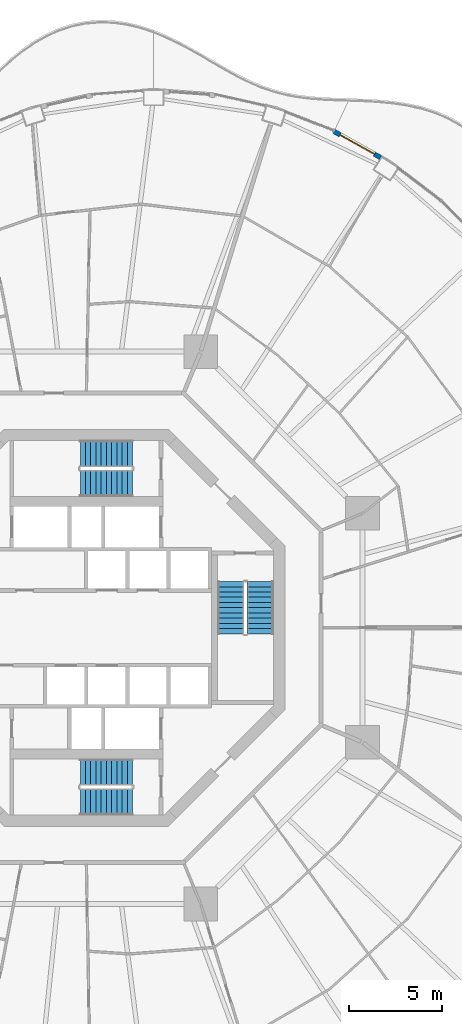
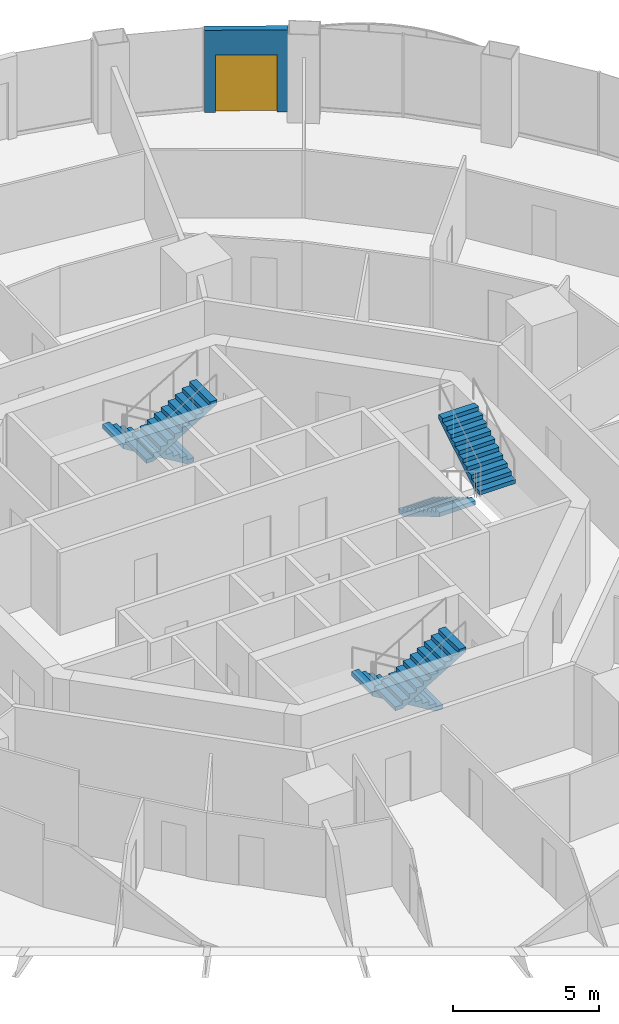
# One storey, part 16 of 19: 6 stair flights, 1 door, 1 wall, 1 opening, 3 elements without a shape of their own.
"""IFC4 building model written with IfcOpenShell, lengths in metres."""

from ifc_helpers import new_model, si_unit, direction, frame, frame_2d, origin, place, context, subcontext, project, spatial, polyline, rectangle, outline, extrude, material, layer, layer_set, type_object, element, fill, aggregate, save


model = new_model("IFC4")

# Units and contexts
model_context = context("Model", 3, precision=1e-05, world=origin(), true_north=direction((0.0, 1.0)))
body_context = subcontext(model_context, "Body", "Model", "MODEL_VIEW")
ifc_project = project(units=[si_unit("LENGTHUNIT", "METRE"), si_unit("AREAUNIT", "SQUARE_METRE"), si_unit("VOLUMEUNIT", "CUBIC_METRE"), si_unit("PLANEANGLEUNIT", "RADIAN"), si_unit("MASSUNIT", "GRAM", prefix="KILO")], contexts=[model_context])

# Site, building, storey
site_placement = place(None, origin())
site = spatial("IfcSite", under=ifc_project, at=site_placement, CompositionType="ELEMENT")
building_placement = place(site_placement, origin())
building = spatial("IfcBuilding", under=site, at=building_placement, Name="Nagisa Residences", CompositionType="ELEMENT")
storey_placement = place(building_placement, frame((0.0, 0.0, 169.60009765625)))
storey = spatial("IfcBuildingStorey", under=building, at=storey_placement, Name="L42", CompositionType="ELEMENT", Elevation=169.60009765625)

# Wall, opening, door
ifc_material_1 = material(Name="Precast concrete C40/50", Category="concrete")
ifc_layer = layer(ifc_material_1, 0.25)
ifc_layer_set = layer_set([ifc_layer], Name="BALCONY DOOR WALL 250")
wall_type = type_object("IfcWallType", Name="BALCONY DOOR WALL 250", PredefinedType="SOLIDWALL", material=ifc_layer_set)
wall_placement = place(storey_placement, frame((13.24951171875, 26.568115234375, 0.0), z_axis=(0.0, 0.0, 1.0), x_axis=(0.872057843239, -0.489402817774, 0.0)))
wall = element("IfcWall", 1, at=wall_placement, inside=storey, type_object=wall_type, Name="wall:L42:bay08", PredefinedType="SOLIDWALL", context=body_context, shape_type="SweptSolid", body=[
    extrude(rectangle(XDim=2.863525390625, YDim=0.25, at=frame_2d((1.431640625, 0.0))), origin(), (0.0, 0.0, 1.0), 3.43994140625),
])
opening_placement = place(wall_placement, frame((0.3818359375, 0.0, 0.0)))
opening = element("IfcOpeningElement", 2, at=opening_placement, cuts=wall, Name="Opening BD-L42-03", PredefinedType="OPENING", context=body_context, shape_type="SweptSolid", body=[
    extrude(rectangle(XDim=2.10009765625, YDim=2.39990234375, at=frame_2d((1.050048828125, 1.199951171875))), frame((0.0, 0.135009765625, 0.0), z_axis=(0.0, -1.0, 0.0), x_axis=(1.0, 0.0, 0.0)), (0.0, 0.0, 1.0), 0.27001953125),
])
ifc_material_2 = material(Name="Aluminium and clear glass", Category="aluminium")
door_type = type_object("IfcDoorType", Name="BALCONY SLIDING DOOR 2100x2400", OperationType="SLIDING_TO_LEFT", PredefinedType="DOOR", material=ifc_material_2)
door_placement = place(opening_placement, origin())
door = element("IfcDoor", 3, at=door_placement, inside=storey, type_object=door_type, Name="door:L42:bay08", OperationType="SLIDING_TO_LEFT", OverallHeight=2.39990234375, OverallWidth=2.10009765625, PredefinedType="DOOR", context=body_context, shape_type="SweptSolid", body=[
    extrude(rectangle(XDim=2.10009765625, YDim=2.39990234375, at=frame_2d((1.050048828125, 1.199951171875))), frame((0.0, 0.02490234375, 0.0), z_axis=(0.0, -1.0, 0.0), x_axis=(1.0, 0.0, 0.0)), (0.0, 0.0, 1.0), 0.050048828125),
])
fill(opening, door)

# Stair, stair flights
ifc_material_3 = material(Name="Concrete C60", Category="concrete")
stair_type = type_object("IfcStairType", Name="Exit stair", PredefinedType="HALF_TURN_STAIR", material=ifc_material_3)
stair_1_placement = place(storey_placement, origin())
stair_1 = element("IfcStair", 4, at=stair_1_placement, inside=storey, type_object=stair_type, Name="L42 Exit stair E", PredefinedType="HALF_TURN_STAIR")
ifc_material_4 = material(Name="Concrete C60", Category="concrete")
stair_flight_type = type_object("IfcStairFlightType", Name="Exit stair flight", PredefinedType="STRAIGHT", material=ifc_material_4)
stair_flight_1_placement = place(storey_placement, frame((7.737060546875, 2.47509765625, 0.0), z_axis=(0.0, 0.0, 1.0), x_axis=(0.0, -1.0, 0.0)))
stair_flight_1 = element("IfcStairFlight", 5, at=stair_flight_1_placement, type_object=stair_flight_type, Name="ST-E flight 1", NumberOfRisers=11, NumberOfTreads=10, PredefinedType="STRAIGHT", RiserHeight=0.168181818, TreadLength=0.28, context=body_context, shape_type="SweptSolid", body=[
    extrude(outline(polyline([(0.0, 0.0), (0.0, 0.168212890625), (0.280029296875, 0.168212890625), (0.280029296875, 0.33642578125), (0.56005859375, 0.33642578125), (0.56005859375, 0.504638671875), (0.840087890625, 0.504638671875), (0.840087890625, 0.672607421875), (1.1201171875, 0.672607421875), (1.1201171875, 0.8408203125), (1.39990234375, 0.8408203125), (1.39990234375, 1.009033203125), (1.679931640625, 1.009033203125), (1.679931640625, 1.17724609375), (1.9599609375, 1.17724609375), (1.9599609375, 1.345458984375), (2.239990234375, 1.345458984375), (2.239990234375, 1.513671875), (2.52001953125, 1.513671875), (2.52001953125, 1.681884765625), (2.800048828125, 1.681884765625), (2.800048828125, 1.85009765625), (2.800048828125, 1.5068359375), (0.291015625, 0.0), (0.0, 0.0)])), frame((0.0, 0.71240234375, 0.0), z_axis=(0.0, -1.0, 0.0), x_axis=(1.0, 0.0, 0.0)), (0.0, 0.0, 1.0), 1.425048828125),
])
stair_flight_2_placement = place(storey_placement, frame((9.31201171875, -0.324951171875, 1.849853515625), z_axis=(0.0, 0.0, 1.0), x_axis=(0.0, 1.0, 0.0)))
stair_flight_2 = element("IfcStairFlight", 6, at=stair_flight_2_placement, type_object=stair_flight_type, Name="ST-E flight 2", NumberOfRisers=11, NumberOfTreads=10, PredefinedType="STRAIGHT", RiserHeight=0.168181818, TreadLength=0.28, context=body_context, shape_type="SweptSolid", body=[
    extrude(outline(polyline([(0.0, 0.0), (0.0, 0.168212890625), (0.280029296875, 0.168212890625), (0.280029296875, 0.33642578125), (0.56005859375, 0.33642578125), (0.56005859375, 0.504638671875), (0.840087890625, 0.504638671875), (0.840087890625, 0.672607421875), (1.1201171875, 0.672607421875), (1.1201171875, 0.8408203125), (1.39990234375, 0.8408203125), (1.39990234375, 1.009033203125), (1.679931640625, 1.009033203125), (1.679931640625, 1.17724609375), (1.9599609375, 1.17724609375), (1.9599609375, 1.345458984375), (2.239990234375, 1.345458984375), (2.239990234375, 1.513671875), (2.52001953125, 1.513671875), (2.52001953125, 1.681884765625), (2.800048828125, 1.681884765625), (2.800048828125, 1.85009765625), (2.800048828125, 1.5068359375), (0.291015625, 0.0), (0.0, 0.0)])), frame((0.0, 0.71240234375, 0.0), z_axis=(0.0, -1.0, 0.0), x_axis=(1.0, 0.0, 0.0)), (0.0, 0.0, 1.0), 1.425048828125),
])
aggregate(stair_1, [stair_flight_1, stair_flight_2])

stair_2_placement = place(storey_placement, origin())
stair_2 = element("IfcStair", 7, at=stair_2_placement, inside=storey, type_object=stair_type, Name="L42 Exit stair N", PredefinedType="HALF_TURN_STAIR")
stair_flight_3_placement = place(storey_placement, frame((2.47509765625, 9.31201171875, 0.0), z_axis=(0.0, 0.0, 1.0), x_axis=(-1.0, 0.0, 0.0)))
stair_flight_3 = element("IfcStairFlight", 8, at=stair_flight_3_placement, type_object=stair_flight_type, Name="ST-N flight 1", NumberOfRisers=11, NumberOfTreads=10, PredefinedType="STRAIGHT", RiserHeight=0.168181818, TreadLength=0.28, context=body_context, shape_type="SweptSolid", body=[
    extrude(outline(polyline([(0.0, 0.0), (0.0, 0.168212890625), (0.280029296875, 0.168212890625), (0.280029296875, 0.33642578125), (0.56005859375, 0.33642578125), (0.56005859375, 0.504638671875), (0.840087890625, 0.504638671875), (0.840087890625, 0.672607421875), (1.1201171875, 0.672607421875), (1.1201171875, 0.8408203125), (1.39990234375, 0.8408203125), (1.39990234375, 1.009033203125), (1.679931640625, 1.009033203125), (1.679931640625, 1.17724609375), (1.9599609375, 1.17724609375), (1.9599609375, 1.345458984375), (2.239990234375, 1.345458984375), (2.239990234375, 1.513671875), (2.52001953125, 1.513671875), (2.52001953125, 1.681884765625), (2.800048828125, 1.681884765625), (2.800048828125, 1.85009765625), (2.800048828125, 1.5068359375), (0.291015625, 0.0), (0.0, 0.0)])), frame((0.0, 0.71240234375, 0.0), z_axis=(0.0, -1.0, 0.0), x_axis=(1.0, 0.0, 0.0)), (0.0, 0.0, 1.0), 1.425048828125),
])
stair_flight_4_placement = place(storey_placement, frame((-0.324951171875, 7.737060546875, 1.849853515625), z_axis=(0.0, 0.0, 1.0), x_axis=(1.0, 0.0, 0.0)))
stair_flight_4 = element("IfcStairFlight", 9, at=stair_flight_4_placement, type_object=stair_flight_type, Name="ST-N flight 2", NumberOfRisers=11, NumberOfTreads=10, PredefinedType="STRAIGHT", RiserHeight=0.168181818, TreadLength=0.28, context=body_context, shape_type="SweptSolid", body=[
    extrude(outline(polyline([(0.0, 0.0), (0.0, 0.168212890625), (0.280029296875, 0.168212890625), (0.280029296875, 0.33642578125), (0.56005859375, 0.33642578125), (0.56005859375, 0.504638671875), (0.840087890625, 0.504638671875), (0.840087890625, 0.672607421875), (1.1201171875, 0.672607421875), (1.1201171875, 0.8408203125), (1.39990234375, 0.8408203125), (1.39990234375, 1.009033203125), (1.679931640625, 1.009033203125), (1.679931640625, 1.17724609375), (1.9599609375, 1.17724609375), (1.9599609375, 1.345458984375), (2.239990234375, 1.345458984375), (2.239990234375, 1.513671875), (2.52001953125, 1.513671875), (2.52001953125, 1.681884765625), (2.800048828125, 1.681884765625), (2.800048828125, 1.85009765625), (2.800048828125, 1.5068359375), (0.291015625, 0.0), (0.0, 0.0)])), frame((0.0, 0.71240234375, 0.0), z_axis=(0.0, -1.0, 0.0), x_axis=(1.0, 0.0, 0.0)), (0.0, 0.0, 1.0), 1.425048828125),
])
aggregate(stair_2, [stair_flight_3, stair_flight_4])

stair_3_placement = place(storey_placement, origin())
stair_3 = element("IfcStair", 10, at=stair_3_placement, inside=storey, type_object=stair_type, Name="L42 Exit stair S", PredefinedType="HALF_TURN_STAIR")
stair_flight_5_placement = place(storey_placement, frame((2.47509765625, -7.737060546875, 0.0), z_axis=(0.0, 0.0, 1.0), x_axis=(-1.0, 0.0, 0.0)))
stair_flight_5 = element("IfcStairFlight", 11, at=stair_flight_5_placement, type_object=stair_flight_type, Name="ST-S flight 1", NumberOfRisers=11, NumberOfTreads=10, PredefinedType="STRAIGHT", RiserHeight=0.168181818, TreadLength=0.28, context=body_context, shape_type="SweptSolid", body=[
    extrude(outline(polyline([(0.0, 0.0), (0.0, 0.168212890625), (0.280029296875, 0.168212890625), (0.280029296875, 0.33642578125), (0.56005859375, 0.33642578125), (0.56005859375, 0.504638671875), (0.840087890625, 0.504638671875), (0.840087890625, 0.672607421875), (1.1201171875, 0.672607421875), (1.1201171875, 0.8408203125), (1.39990234375, 0.8408203125), (1.39990234375, 1.009033203125), (1.679931640625, 1.009033203125), (1.679931640625, 1.17724609375), (1.9599609375, 1.17724609375), (1.9599609375, 1.345458984375), (2.239990234375, 1.345458984375), (2.239990234375, 1.513671875), (2.52001953125, 1.513671875), (2.52001953125, 1.681884765625), (2.800048828125, 1.681884765625), (2.800048828125, 1.85009765625), (2.800048828125, 1.5068359375), (0.291015625, 0.0), (0.0, 0.0)])), frame((0.0, 0.71240234375, 0.0), z_axis=(0.0, -1.0, 0.0), x_axis=(1.0, 0.0, 0.0)), (0.0, 0.0, 1.0), 1.425048828125),
])
stair_flight_6_placement = place(storey_placement, frame((-0.324951171875, -9.31201171875, 1.849853515625), z_axis=(0.0, 0.0, 1.0), x_axis=(1.0, 0.0, 0.0)))
stair_flight_6 = element("IfcStairFlight", 12, at=stair_flight_6_placement, type_object=stair_flight_type, Name="ST-S flight 2", NumberOfRisers=11, NumberOfTreads=10, PredefinedType="STRAIGHT", RiserHeight=0.168181818, TreadLength=0.28, context=body_context, shape_type="SweptSolid", body=[
    extrude(outline(polyline([(0.0, 0.0), (0.0, 0.168212890625), (0.280029296875, 0.168212890625), (0.280029296875, 0.33642578125), (0.56005859375, 0.33642578125), (0.56005859375, 0.504638671875), (0.840087890625, 0.504638671875), (0.840087890625, 0.672607421875), (1.1201171875, 0.672607421875), (1.1201171875, 0.8408203125), (1.39990234375, 0.8408203125), (1.39990234375, 1.009033203125), (1.679931640625, 1.009033203125), (1.679931640625, 1.17724609375), (1.9599609375, 1.17724609375), (1.9599609375, 1.345458984375), (2.239990234375, 1.345458984375), (2.239990234375, 1.513671875), (2.52001953125, 1.513671875), (2.52001953125, 1.681884765625), (2.800048828125, 1.681884765625), (2.800048828125, 1.85009765625), (2.800048828125, 1.5068359375), (0.291015625, 0.0), (0.0, 0.0)])), frame((0.0, 0.71240234375, 0.0), z_axis=(0.0, -1.0, 0.0), x_axis=(1.0, 0.0, 0.0)), (0.0, 0.0, 1.0), 1.425048828125),
])
aggregate(stair_3, [stair_flight_5, stair_flight_6])

save(model, "model.ifc")
